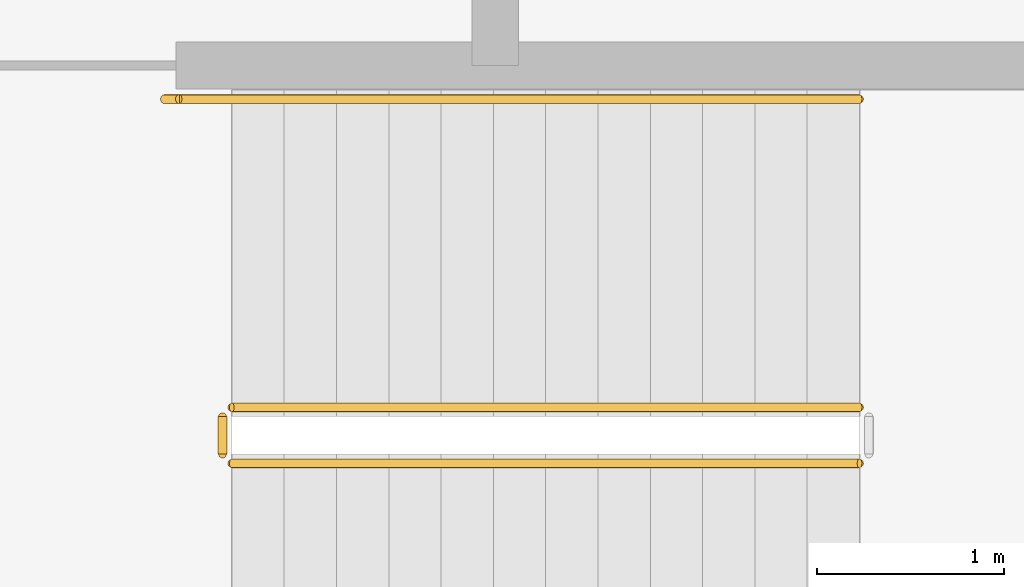
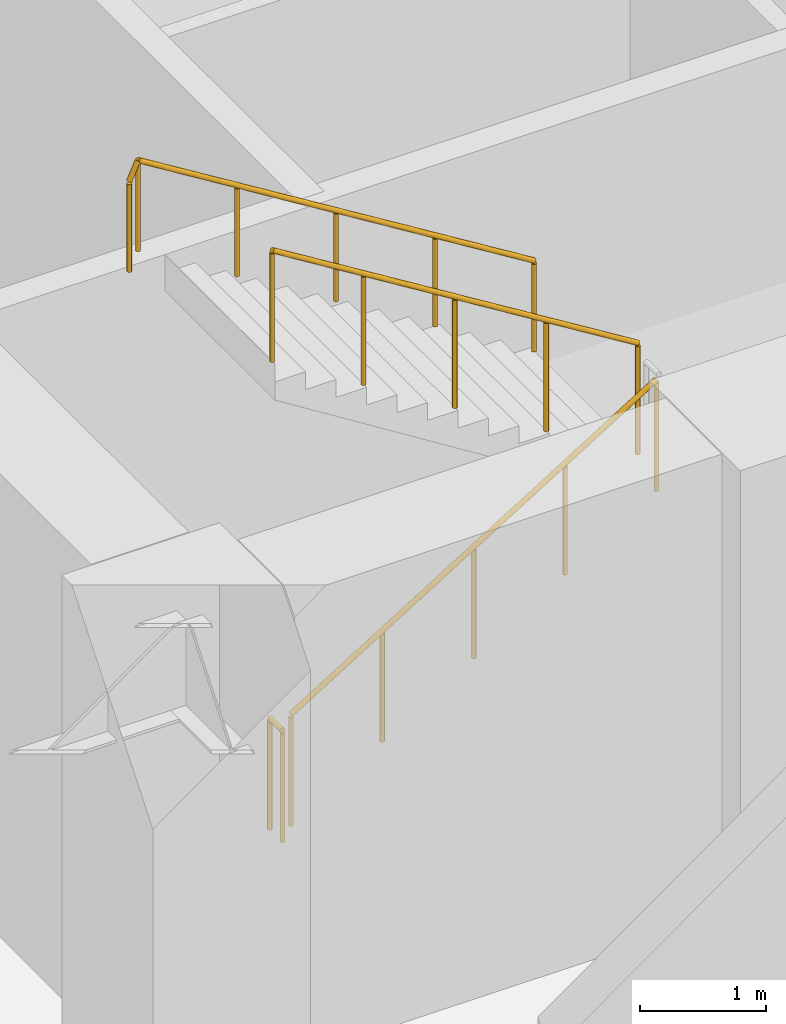
# One storey, part 31 of 36: 4 railings.
"""IFC4 building model written with IfcOpenShell, lengths in metres."""

from ifc_helpers import new_model, si_unit, direction, frame, origin, origin_2d, place, context, subcontext, project, spatial, circle, extrude, material, type_object, element, save


model = new_model("IFC4")

# Units and contexts
model_context = context("Model", 3, precision=1e-05, world=origin(), true_north=direction((0.0, 1.0)))
body_context = subcontext(model_context, "Body", "Model", "MODEL_VIEW")
ifc_project = project(units=[si_unit("LENGTHUNIT", "METRE"), si_unit("AREAUNIT", "SQUARE_METRE"), si_unit("VOLUMEUNIT", "CUBIC_METRE"), si_unit("PLANEANGLEUNIT", "RADIAN"), si_unit("MASSUNIT", "GRAM", prefix="KILO")], contexts=[model_context])

# Site, building, storey
site_placement = place(None, origin())
site = spatial("IfcSite", under=ifc_project, at=site_placement, CompositionType="ELEMENT")
building_placement = place(site_placement, origin())
building = spatial("IfcBuilding", under=site, at=building_placement, Name="Surkhivell Harbour Commons", CompositionType="ELEMENT")
storey_placement = place(building_placement, frame((0.0, 0.0, 9.0)))
storey = spatial("IfcBuildingStorey", under=building, at=storey_placement, Name="L02", CompositionType="ELEMENT", Elevation=9.0)

# Railings
ifc_material_1 = material(Name="Galvanised and painted steel S355 guard rail", Category="steel")
railing_type_1 = type_object("IfcRailingType", Name="RAL-ST-GRD1100", PredefinedType="GUARDRAIL", material=ifc_material_1)
railing_1_placement = place(storey_placement, frame((-8.590087890625, -8.639892578125, 0.173095703125)))
element("IfcRailing", 1, at=railing_1_placement, inside=storey, type_object=railing_type_1, Name="L02 ST3 stair guard 1", PredefinedType="GUARDRAIL", context=body_context, shape_type="SweptSolid", body=[
    extrude(circle(Radius=0.02392578125, at=origin_2d()), frame((0.0, 0.0, 1.076171875), z_axis=(0.850623216509, 0.0, 0.525775754039), x_axis=(0.0, 1.0, 0.0)), (0.0, 0.0, 1.0), 3.9501953125),
    extrude(circle(Radius=0.02099609375, at=origin_2d()), origin(), (0.0, 0.0, 1.0), 1.052001953125),
    extrude(circle(Radius=0.02099609375, at=origin_2d()), frame((0.840087890625, 0.0, 0.519287109375)), (0.0, 0.0, 1.0), 1.052001953125),
    extrude(circle(Radius=0.02099609375, at=origin_2d()), frame((1.68017578125, 0.0, 1.03857421875)), (0.0, 0.0, 1.0), 1.052001953125),
    extrude(circle(Radius=0.02099609375, at=origin_2d()), frame((2.52001953125, 0.0, 1.5576171875)), (0.0, 0.0, 1.0), 1.052001953125),
    extrude(circle(Radius=0.02099609375, at=origin_2d()), frame((3.360107421875, 0.0, 2.076904296875)), (0.0, 0.0, 1.0), 1.052001953125),
])
railing_2_placement = place(storey_placement, frame((-5.22998046875, -8.340087890625, 2.423095703125)))
element("IfcRailing", 2, at=railing_2_placement, inside=storey, type_object=railing_type_1, Name="L02 ST3 stair guard 3", PredefinedType="GUARDRAIL", context=body_context, shape_type="SweptSolid", body=[
    extrude(circle(Radius=0.02392578125, at=origin_2d()), frame((0.0, 0.0, 1.076171875), z_axis=(-0.850623216509, 0.0, 0.525775754039), x_axis=(0.0, -1.0, 0.0)), (0.0, 0.0, 1.0), 3.9501953125),
    extrude(circle(Radius=0.02099609375, at=origin_2d()), origin(), (0.0, 0.0, 1.0), 1.052001953125),
    extrude(circle(Radius=0.02099609375, at=origin_2d()), frame((-0.840087890625, 0.0, 0.519287109375)), (0.0, 0.0, 1.0), 1.052001953125),
    extrude(circle(Radius=0.02099609375, at=origin_2d()), frame((-1.68017578125, 0.0, 1.03857421875)), (0.0, 0.0, 1.0), 1.052001953125),
    extrude(circle(Radius=0.02099609375, at=origin_2d()), frame((-2.52001953125, 0.0, 1.5576171875)), (0.0, 0.0, 1.0), 1.052001953125),
    extrude(circle(Radius=0.02099609375, at=origin_2d()), frame((-3.360107421875, 0.0, 2.076904296875)), (0.0, 0.0, 1.0), 1.052001953125),
])
railing_3_placement = place(storey_placement, frame((-8.639892578125, -8.590087890625, 0.0)))
element("IfcRailing", 3, at=railing_3_placement, inside=storey, type_object=railing_type_1, Name="L02 ST3 stair guard 4", PredefinedType="GUARDRAIL", context=body_context, shape_type="SweptSolid", body=[
    extrude(circle(Radius=0.02392578125, at=origin_2d()), frame((0.0, 0.0, 1.076171875), z_axis=(0.0, 1.0, 0.0), x_axis=(-1.0, 0.0, 0.0)), (0.0, 0.0, 1.0), 0.2001953125),
    extrude(circle(Radius=0.02099609375, at=origin_2d()), origin(), (0.0, 0.0, 1.0), 1.052001953125),
    extrude(circle(Radius=0.02099609375, at=origin_2d()), frame((0.0, 0.2001953125, 0.0)), (0.0, 0.0, 1.0), 1.052001953125),
])
ifc_material_2 = material(Name="Brushed stainless steel S355 handrail", Category="steel")
railing_type_2 = type_object("IfcRailingType", Name="RAL-ST-HND900", PredefinedType="HANDRAIL", material=ifc_material_2)
railing_4_placement = place(storey_placement, frame((-5.22998046875, -6.68994140625, 2.423095703125)))
element("IfcRailing", 4, at=railing_4_placement, inside=storey, type_object=railing_type_2, Name="L02 ST3 stair handrail 2", PredefinedType="HANDRAIL", context=body_context, shape_type="SweptSolid", body=[
    extrude(circle(Radius=0.02392578125, at=origin_2d()), frame((0.0, 0.0, 0.8759765625), z_axis=(-0.850622404505, 0.0, 0.525777067734), x_axis=(0.0, -1.0, 0.0)), (0.0, 0.0, 1.0), 4.279296875),
    extrude(circle(Radius=0.02392578125, at=origin_2d()), frame((-3.64013671875, 0.0, 3.1259765625), z_axis=(-0.418814502111, 0.0, -0.908071810388), x_axis=(0.0, -1.0, 0.0)), (0.0, 0.0, 1.0), 0.190673828125),
    extrude(circle(Radius=0.02099609375, at=origin_2d()), origin(), (0.0, 0.0, 1.0), 0.851806640625),
    extrude(circle(Radius=0.02099609375, at=origin_2d()), frame((-0.91015625, 0.0, 0.5625)), (0.0, 0.0, 1.0), 0.851806640625),
    extrude(circle(Radius=0.02099609375, at=origin_2d()), frame((-1.820068359375, 0.0, 1.125)), (0.0, 0.0, 1.0), 0.851806640625),
    extrude(circle(Radius=0.02099609375, at=origin_2d()), frame((-2.72998046875, 0.0, 1.6875)), (0.0, 0.0, 1.0), 0.851806640625),
    extrude(circle(Radius=0.02099609375, at=origin_2d()), frame((-3.64013671875, 0.0, 2.25)), (0.0, 0.0, 1.0), 0.851806640625),
    extrude(circle(Radius=0.02099609375, at=origin_2d()), frame((-3.719970703125, 0.0, 2.076904296875)), (0.0, 0.0, 1.0), 0.851806640625),
])

save(model, "model.ifc")
